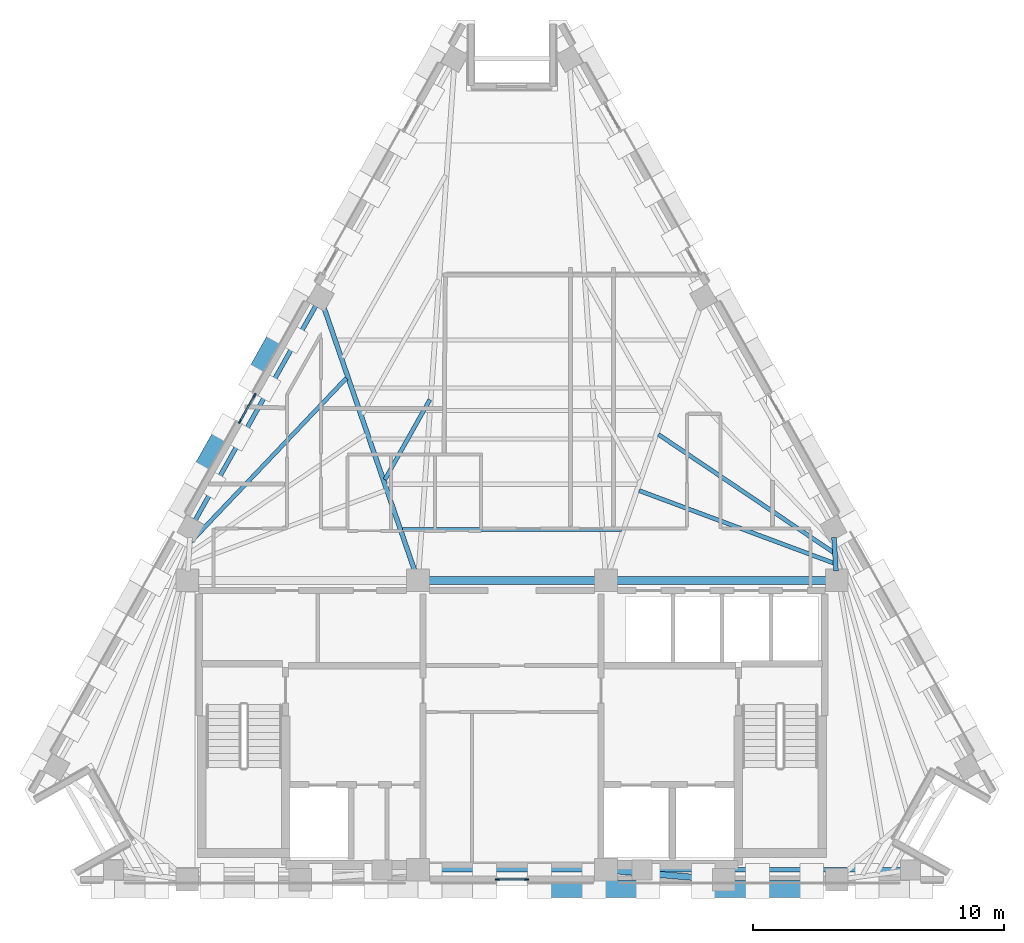
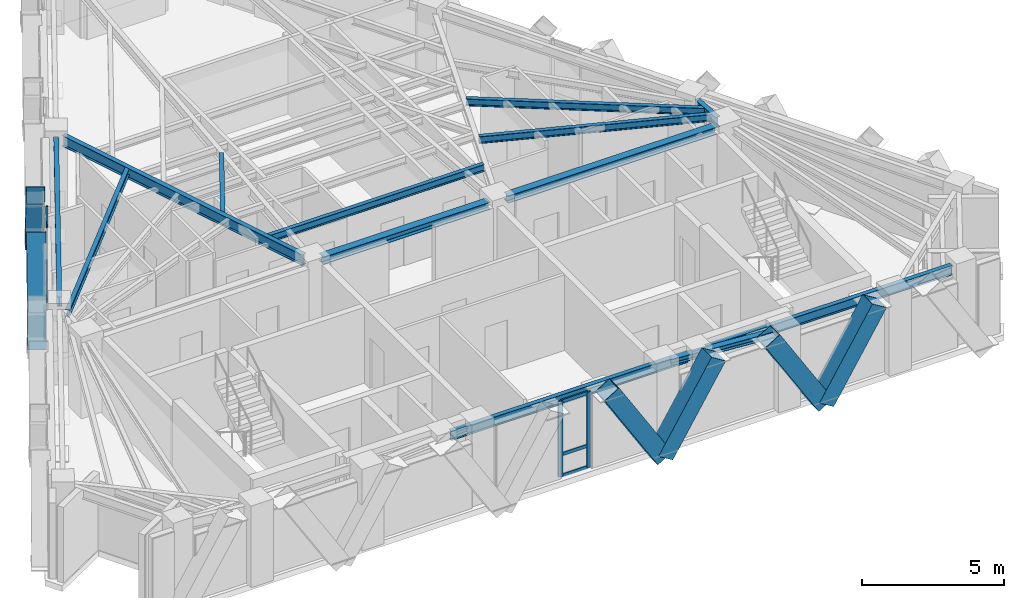
# One storey, part 2 of 9: 16 members, 13 beams, 2 elements without a shape of their own.
"""IFC4 building model written with IfcOpenShell, lengths in metres."""

from ifc_helpers import new_model, si_unit, direction, frame, origin, origin_2d, place, context, subcontext, project, spatial, rectangle, hollow_rectangle, i_section, extrude, material, material_profile, profile_set, type_object, element, aggregate, save


model = new_model("IFC4")

# Units and contexts
model_context = context("Model", 3, precision=1e-05, world=origin(), true_north=direction((0.0, 1.0)))
body_context = subcontext(model_context, "Body", "Model", "MODEL_VIEW")
ifc_project = project(units=[si_unit("LENGTHUNIT", "METRE"), si_unit("AREAUNIT", "SQUARE_METRE"), si_unit("VOLUMEUNIT", "CUBIC_METRE"), si_unit("PLANEANGLEUNIT", "RADIAN"), si_unit("MASSUNIT", "GRAM", prefix="KILO")], contexts=[model_context])

# Site, building, storey
site_placement = place(None, origin())
site = spatial("IfcSite", under=ifc_project, at=site_placement, CompositionType="ELEMENT")
building_placement = place(site_placement, origin())
building = spatial("IfcBuilding", under=site, at=building_placement, Name="Quenlor Broadcast Tower", CompositionType="ELEMENT")
storey_placement = place(building_placement, frame((0.0, 0.0, 249.89990234375)))
storey = spatial("IfcBuildingStorey", under=building, at=storey_placement, Name="L69", CompositionType="ELEMENT", Elevation=249.89990234375)

# Curtain wall, members
ifc_material_1 = material(Name="Architectural Terracotta and Low-E Glazing", Category="masonry")
curtain_wall_type = type_object("IfcCurtainWallType", Name="Unitised Terracotta Curtain Wall System Z5", PredefinedType="NOTDEFINED", material=ifc_material_1)
curtain_wall_1_placement = place(storey_placement, origin())
curtain_wall_1 = element("IfcCurtainWall", 1, at=curtain_wall_1_placement, inside=storey, type_object=curtain_wall_type, Name="L69 Curtain Wall CW5 (L69-S-G1)", PredefinedType="NOTDEFINED")
ifc_material_2 = material(Name="Aluminium 6063-T6", Category="aluminium")
ifc_material_profile_1 = material_profile(ifc_material_2, rectangle(XDim=0.06494140625, YDim=0.169921875, at=origin_2d()))
ifc_profile_set_1 = profile_set([ifc_material_profile_1], Name="Aluminium 6063-T6 MULL65x170")
member_type_1 = type_object("IfcMemberType", Name="CW5 Aluminium Mullion MULL_CW5", PredefinedType="MULLION", material=ifc_profile_set_1)
member_1_placement = place(storey_placement, frame((0.573974609375, -16.72509765625, 0.0), z_axis=(0.0, 0.0, 1.0), x_axis=(0.0, -1.0, 0.0)))
member_1 = element("IfcMember", 2, at=member_1_placement, type_object=member_type_1, Name="CW5 mullion 1", PredefinedType="MULLION", context=body_context, shape_type="SweptSolid", body=[
    extrude(rectangle(XDim=0.06494140625, YDim=0.169921875, at=origin_2d()), origin(), (0.0, 0.0, 1.0), 3.25),
])
member_2_placement = place(storey_placement, frame((-0.573974609375, -16.72509765625, 0.0), z_axis=(0.0, 0.0, 1.0), x_axis=(0.0, -1.0, 0.0)))
member_2 = element("IfcMember", 3, at=member_2_placement, type_object=member_type_1, Name="CW5 mullion 2", PredefinedType="MULLION", context=body_context, shape_type="SweptSolid", body=[
    extrude(rectangle(XDim=0.06494140625, YDim=0.169921875, at=origin_2d()), origin(), (0.0, 0.0, 1.0), 3.25),
])

curtain_wall_2_placement = place(storey_placement, origin())
curtain_wall_2 = element("IfcCurtainWall", 4, at=curtain_wall_2_placement, inside=storey, type_object=curtain_wall_type, Name="L69 Curtain Wall CW5 (L69-NW-G1)", PredefinedType="NOTDEFINED")
member_3_placement = place(storey_placement, frame((-10.853271484375, 1.54443359375, 0.0), z_axis=(0.0, 0.0, 1.0), x_axis=(-0.871592489955, 0.490231100048, 0.0)))
member_3 = element("IfcMember", 5, at=member_3_placement, type_object=member_type_1, Name="CW5 mullion 1", PredefinedType="MULLION", context=body_context, shape_type="SweptSolid", body=[
    extrude(rectangle(XDim=0.06494140625, YDim=0.169921875, at=origin_2d()), origin(), (0.0, 0.0, 1.0), 3.25),
])
member_4_placement = place(storey_placement, frame((-10.267333984375, 2.586181640625, 0.0), z_axis=(0.0, 0.0, 1.0), x_axis=(-0.871592489955, 0.490231100048, 0.0)))
member_4 = element("IfcMember", 6, at=member_4_placement, type_object=member_type_1, Name="CW5 mullion 2", PredefinedType="MULLION", context=body_context, shape_type="SweptSolid", body=[
    extrude(rectangle(XDim=0.06494140625, YDim=0.169921875, at=origin_2d()), origin(), (0.0, 0.0, 1.0), 3.25),
])

# Member
ifc_material_3 = material(Name="Aluminium 6063-T6", Category="aluminium")
ifc_material_profile_2 = material_profile(ifc_material_3, rectangle(XDim=0.06494140625, YDim=0.139892578125, at=origin_2d()))
ifc_profile_set_2 = profile_set([ifc_material_profile_2], Name="Aluminium 6063-T6 TRAN65x140")
member_type_2 = type_object("IfcMemberType", Name="CW5 Aluminium Transom TRAN_CW5", PredefinedType="USERDEFINED", material=ifc_profile_set_2)
member_5_placement = place(storey_placement, frame((0.54150390625, -16.72509765625, 0.03271484375), z_axis=(-1.0, 0.0, 0.0), x_axis=(0.0, -1.0, 0.0)))
member_5 = element("IfcMember", 7, at=member_5_placement, type_object=member_type_2, Name="CW5 transom 1.1", ObjectType="TRANSOM", PredefinedType="USERDEFINED", context=body_context, shape_type="SweptSolid", body=[
    extrude(rectangle(XDim=0.06494140625, YDim=0.139892578125, at=origin_2d()), origin(), (0.0, 0.0, 1.0), 1.0830078125),
])

member_6_placement = place(storey_placement, frame((0.54150390625, -16.72509765625, 0.9501953125), z_axis=(-1.0, 0.0, 0.0), x_axis=(0.0, -1.0, 0.0)))
member_6 = element("IfcMember", 8, at=member_6_placement, type_object=member_type_2, Name="CW5 transom 1.2", ObjectType="TRANSOM", PredefinedType="USERDEFINED", context=body_context, shape_type="SweptSolid", body=[
    extrude(rectangle(XDim=0.06494140625, YDim=0.139892578125, at=origin_2d()), origin(), (0.0, 0.0, 1.0), 1.0830078125),
])

member_7_placement = place(storey_placement, frame((0.54150390625, -16.72509765625, 3.217529296875), z_axis=(-1.0, 0.0, 0.0), x_axis=(0.0, -1.0, 0.0)))
member_7 = element("IfcMember", 9, at=member_7_placement, type_object=member_type_2, Name="CW5 transom 1.3", ObjectType="TRANSOM", PredefinedType="USERDEFINED", context=body_context, shape_type="SweptSolid", body=[
    extrude(rectangle(XDim=0.06494140625, YDim=0.139892578125, at=origin_2d()), origin(), (0.0, 0.0, 1.0), 1.0830078125),
])

aggregate(curtain_wall_1, [member_1, member_2, member_5, member_6, member_7])

member_8_placement = place(storey_placement, frame((-10.83740234375, 1.57275390625, 0.03271484375), z_axis=(0.490312513966, 0.871546693327, 0.0), x_axis=(-0.871546693327, 0.490312513966, 0.0)))
member_8 = element("IfcMember", 10, at=member_8_placement, type_object=member_type_2, Name="CW5 transom 1.1", ObjectType="TRANSOM", PredefinedType="USERDEFINED", context=body_context, shape_type="SweptSolid", body=[
    extrude(rectangle(XDim=0.06494140625, YDim=0.139892578125, at=origin_2d()), origin(), (0.0, 0.0, 1.0), 1.13037109375),
])

member_9_placement = place(storey_placement, frame((-10.83740234375, 1.57275390625, 0.9501953125), z_axis=(0.490312513966, 0.871546693327, 0.0), x_axis=(-0.871546693327, 0.490312513966, 0.0)))
member_9 = element("IfcMember", 11, at=member_9_placement, type_object=member_type_2, Name="CW5 transom 1.2", ObjectType="TRANSOM", PredefinedType="USERDEFINED", context=body_context, shape_type="SweptSolid", body=[
    extrude(rectangle(XDim=0.06494140625, YDim=0.139892578125, at=origin_2d()), origin(), (0.0, 0.0, 1.0), 1.13037109375),
])

member_10_placement = place(storey_placement, frame((-10.83740234375, 1.57275390625, 3.217529296875), z_axis=(0.490312513966, 0.871546693327, 0.0), x_axis=(-0.871546693327, 0.490312513966, 0.0)))
member_10 = element("IfcMember", 12, at=member_10_placement, type_object=member_type_2, Name="CW5 transom 1.3", ObjectType="TRANSOM", PredefinedType="USERDEFINED", context=body_context, shape_type="SweptSolid", body=[
    extrude(rectangle(XDim=0.06494140625, YDim=0.139892578125, at=origin_2d()), origin(), (0.0, 0.0, 1.0), 1.13037109375),
])

aggregate(curtain_wall_2, [member_3, member_4, member_8, member_9, member_10])

# Beams
ifc_material_4 = material(Name="Steel S355", Category="steel")
ifc_material_profile_3 = material_profile(ifc_material_4, i_section(OverallWidth=0.304931640625, OverallDepth=0.30810546875, WebThickness=0.010009765625, FlangeThickness=0.015380859375, FilletRadius=0.0166015625, at=origin_2d()))
ifc_profile_set_3 = profile_set([ifc_material_profile_3], Name="Steel S355 310UC96.8")
beam_type_1 = type_object("IfcBeamType", Name="Core Header Beam Steel S355 310UC96.8", PredefinedType="BEAM", material=ifc_profile_set_3)
beam_1_placement = place(storey_placement, frame((-3.389892578125, -4.800048828125, 3.09619140625), z_axis=(1.0, 0.0, 0.0), x_axis=(0.0, 1.0, 0.0)))
element("IfcBeam", 13, at=beam_1_placement, inside=storey, type_object=beam_type_1, Name="L69 Core Header Beam 2", PredefinedType="BEAM", context=body_context, shape_type="SweptSolid", body=[
    extrude(i_section(OverallWidth=0.304931640625, OverallDepth=0.30810546875, WebThickness=0.010009765625, FlangeThickness=0.015380859375, FilletRadius=0.0166015625, at=origin_2d()), origin(), (0.0, 0.0, 1.0), 6.77978515625),
])
ifc_material_5 = material(Name="Steel S355", Category="steel")
ifc_material_profile_4 = material_profile(ifc_material_5, i_section(OverallWidth=0.25390625, OverallDepth=0.25390625, WebThickness=0.008544921875, FlangeThickness=0.01416015625, FilletRadius=0.013916015625, at=origin_2d()))
ifc_profile_set_4 = profile_set([ifc_material_profile_4], Name="Steel S355 250UC72.9")
beam_type_2 = type_object("IfcBeamType", Name="Core Opening Lintel Beam Steel S355 250UC72.9", PredefinedType="LINTEL", material=ifc_profile_set_4)
beam_2_placement = place(storey_placement, frame((4.108642578125, -16.380615234375, 3.123291015625), z_axis=(0.996399763903, -0.084779186679, 0.0), x_axis=(0.084779186679, 0.996399763903, 0.0)))
element("IfcBeam", 14, at=beam_2_placement, inside=storey, type_object=beam_type_2, Name="L69 Core Opening Lintel Beam 5", PredefinedType="LINTEL", context=body_context, shape_type="SweptSolid", body=[
    extrude(i_section(OverallWidth=0.25390625, OverallDepth=0.25390625, WebThickness=0.008544921875, FlangeThickness=0.01416015625, FilletRadius=0.013916015625, at=origin_2d()), origin(), (0.0, 0.0, 1.0), 3.9970703125),
])
ifc_material_6 = material(Name="Steel S355", Category="steel")
ifc_material_profile_5 = material_profile(ifc_material_6, i_section(OverallWidth=0.306884765625, OverallDepth=0.314697265625, WebThickness=0.011962890625, FlangeThickness=0.018798828125, FilletRadius=0.0166015625, at=origin_2d()))
ifc_profile_set_5 = profile_set([ifc_material_profile_5], Name="Steel S355 310UC118")
beam_type_3 = type_object("IfcBeamType", Name="Core Tie Beam Steel S355 310UC118", PredefinedType="BEAM", material=ifc_profile_set_5)
beam_3_placement = place(storey_placement, frame((4.110107421875, -4.800048828125, 3.0927734375), z_axis=(1.0, 0.0, 0.0), x_axis=(0.0, 1.0, 0.0)))
element("IfcBeam", 15, at=beam_3_placement, inside=storey, type_object=beam_type_3, Name="L69 Core Tie Beam 3", PredefinedType="BEAM", context=body_context, shape_type="SweptSolid", body=[
    extrude(i_section(OverallWidth=0.306884765625, OverallDepth=0.314697265625, WebThickness=0.011962890625, FlangeThickness=0.018798828125, FilletRadius=0.0166015625, at=origin_2d()), origin(), (0.0, 0.0, 1.0), 8.47998046875),
])

# Members
ifc_material_7 = material(Name="Steel S355", Category="steel")
ifc_material_profile_6 = material_profile(ifc_material_7, hollow_rectangle(XDim=0.679931640625, YDim=0.679931640625, WallThickness=0.02001953125, at=origin_2d()))
ifc_profile_set_6 = profile_set([ifc_material_profile_6], Name="Steel S355 RHS680x680x20")
member_type_3 = type_object("IfcMemberType", Name="Perimeter Diagonal Lattice Brace Z5-Crown Steel S355 RHS680x20", PredefinedType="BRACE", material=ifc_profile_set_6)
member_11_placement = place(storey_placement, frame((9.81103515625, -17.1201171875, -0.119873046875), z_axis=(0.5236596973, 0.0, 0.851927532965), x_axis=(0.0, 1.0, 0.0)))
element("IfcMember", 16, at=member_11_placement, inside=storey, type_object=member_type_3, Name="L69 Perimeter Diamond Lattice S-C1B", PredefinedType="BRACE", context=body_context, shape_type="SweptSolid", body=[
    extrude(hollow_rectangle(XDim=0.679931640625, YDim=0.679931640625, WallThickness=0.02001953125, at=origin_2d()), origin(), (0.0, 0.0, 1.0), 4.1083984375),
])
member_12_placement = place(storey_placement, frame((9.784912109375, -17.1201171875, -0.119873046875), z_axis=(-0.523616565236, 0.0, 0.85195404372), x_axis=(0.0, -1.0, 0.0)))
element("IfcMember", 17, at=member_12_placement, inside=storey, type_object=member_type_3, Name="L69 Perimeter Diamond Lattice S-C2S", PredefinedType="BRACE", context=body_context, shape_type="SweptSolid", body=[
    extrude(hollow_rectangle(XDim=0.679931640625, YDim=0.679931640625, WallThickness=0.02001953125, at=origin_2d()), origin(), (0.0, 0.0, 1.0), 4.108154296875),
])
member_13_placement = place(storey_placement, frame((3.279052734375, -17.1201171875, -0.119873046875), z_axis=(0.5236596973, 0.0, 0.851927532965), x_axis=(0.0, 1.0, 0.0)))
element("IfcMember", 18, at=member_13_placement, inside=storey, type_object=member_type_3, Name="L69 Perimeter Diamond Lattice S-C2B", PredefinedType="BRACE", context=body_context, shape_type="SweptSolid", body=[
    extrude(hollow_rectangle(XDim=0.679931640625, YDim=0.679931640625, WallThickness=0.02001953125, at=origin_2d()), origin(), (0.0, 0.0, 1.0), 4.1083984375),
])
member_14_placement = place(storey_placement, frame((3.2529296875, -17.1201171875, -0.119873046875), z_axis=(-0.523616565236, 0.0, 0.85195404372), x_axis=(0.0, -1.0, 0.0)))
element("IfcMember", 19, at=member_14_placement, inside=storey, type_object=member_type_3, Name="L69 Perimeter Diamond Lattice S-C3S", PredefinedType="BRACE", context=body_context, shape_type="SweptSolid", body=[
    extrude(hollow_rectangle(XDim=0.679931640625, YDim=0.679931640625, WallThickness=0.02001953125, at=origin_2d()), origin(), (0.0, 0.0, 1.0), 4.108154296875),
])
for number, where, z_axis, x_axis, name in (
    (20, (-12.532958984375, -0.635986328125, -0.119873046875), (0.260618804175, 0.463276364439, 0.847025884529), (-0.8715547569, 0.490298180422, 0.0), "L69 Perimeter Diamond Lattice NW-C3S"),
    (21, (-9.2763671875, 5.153564453125, -0.119873046875), (-0.260563732169, -0.463283497491, 0.847038926161), (0.871602253711, -0.49021374045, 0.0), "L69 Perimeter Diamond Lattice NW-C3B"),
):
    element("IfcMember", number, at=place(storey_placement, frame(where, z_axis=z_axis, x_axis=x_axis)), inside=storey, type_object=member_type_3, Name=name, PredefinedType="BRACE", context=body_context, shape_type="SweptSolid", body=[
        extrude(hollow_rectangle(XDim=0.679931640625, YDim=0.679931640625, WallThickness=0.02001953125, at=origin_2d()), origin(), (0.0, 0.0, 1.0), 4.132080078125),
    ])

# Beams
ifc_material_8 = material(Name="Steel S355", Category="steel")
ifc_material_profile_7 = material_profile(ifc_material_8, i_section(OverallWidth=0.177978515625, OverallDepth=0.406494140625, WebThickness=0.0078125, FlangeThickness=0.0126953125, FilletRadius=0.011474609375, at=origin_2d()))
ifc_profile_set_7 = profile_set([ifc_material_profile_7], Name="Steel S355 410UB59.7")
beam_type_4 = type_object("IfcBeamType", Name="Perimeter Spandrel Beam Z5 Steel S355 410UB59.7", PredefinedType="SPANDREL", material=ifc_profile_set_7)
beam_4_placement = place(storey_placement, frame((-4.823974609375, -16.35009765625, 3.046875), z_axis=(1.0, 0.0, 0.0), x_axis=(0.0, 1.0, 0.0)))
element("IfcBeam", 22, at=beam_4_placement, inside=storey, type_object=beam_type_4, Name="L69 Spandrel Beam S2-S3", PredefinedType="SPANDREL", context=body_context, shape_type="SweptSolid", body=[
    extrude(i_section(OverallWidth=0.177978515625, OverallDepth=0.406494140625, WebThickness=0.0078125, FlangeThickness=0.0126953125, FilletRadius=0.011474609375, at=origin_2d()), origin(), (0.0, 0.0, 1.0), 9.64794921875),
])
beam_5_placement = place(storey_placement, frame((5.5439453125, -16.35009765625, 3.046875), z_axis=(1.0, 0.0, 0.0), x_axis=(0.0, 1.0, 0.0)))
element("IfcBeam", 23, at=beam_5_placement, inside=storey, type_object=beam_type_4, Name="L69 Spandrel Beam S3-S4", PredefinedType="SPANDREL", context=body_context, shape_type="SweptSolid", body=[
    extrude(i_section(OverallWidth=0.177978515625, OverallDepth=0.406494140625, WebThickness=0.0078125, FlangeThickness=0.0126953125, FilletRadius=0.011474609375, at=origin_2d()), origin(), (0.0, 0.0, 1.0), 9.99365234375),
])
beam_6_placement = place(storey_placement, frame((-7.818115234375, 6.175537109375, 3.046875), z_axis=(-0.49024947634, -0.871582153872, 0.0), x_axis=(0.871582153872, -0.49024947634, 0.0)))
element("IfcBeam", 24, at=beam_6_placement, inside=storey, type_object=beam_type_4, Name="L69 Spandrel Beam NW2-NW3", PredefinedType="SPANDREL", context=body_context, shape_type="SweptSolid", body=[
    extrude(i_section(OverallWidth=0.177978515625, OverallDepth=0.406494140625, WebThickness=0.0078125, FlangeThickness=0.0126953125, FilletRadius=0.011474609375, at=origin_2d()), origin(), (0.0, 0.0, 1.0), 9.853759765625),
])
ifc_material_9 = material(Name="Steel S355", Category="steel")
ifc_material_profile_8 = material_profile(ifc_material_9, i_section(OverallWidth=0.166015625, OverallDepth=0.30712890625, WebThickness=0.006591796875, FlangeThickness=0.01171875, FilletRadius=0.011474609375, at=origin_2d()))
ifc_profile_set_8 = profile_set([ifc_material_profile_8], Name="Steel S355 310UB46.2")
beam_type_5 = type_object("IfcBeamType", Name="Tower Composite Joist Z4-Z5 Steel S355 310UB46.2", PredefinedType="JOIST", material=ifc_profile_set_8)
beam_7_placement = place(storey_placement, frame((-4.37060546875, -2.767822265625, 3.096435546875), z_axis=(1.0, 0.0, 0.0), x_axis=(0.0, 1.0, 0.0)))
element("IfcBeam", 25, at=beam_7_placement, inside=storey, type_object=beam_type_5, Name="L69 Secondary Composite Joist 1", PredefinedType="JOIST", context=body_context, shape_type="SweptSolid", body=[
    extrude(i_section(OverallWidth=0.166015625, OverallDepth=0.30712890625, WebThickness=0.006591796875, FlangeThickness=0.01171875, FilletRadius=0.011474609375, at=origin_2d()), origin(), (0.0, 0.0, 1.0), 8.7412109375),
])
beam_8_placement = place(storey_placement, frame((-12.80517578125, -3.249267578125, 3.096435546875), z_axis=(0.689023306429, 0.724739182877, 0.0), x_axis=(-0.724739182877, 0.689023306429, 0.0)))
element("IfcBeam", 26, at=beam_8_placement, inside=storey, type_object=beam_type_5, Name="L69 Secondary Composite Joist 9", PredefinedType="JOIST", context=body_context, shape_type="SweptSolid", body=[
    extrude(i_section(OverallWidth=0.166015625, OverallDepth=0.30712890625, WebThickness=0.006591796875, FlangeThickness=0.01171875, FilletRadius=0.011474609375, at=origin_2d()), origin(), (0.0, 0.0, 1.0), 8.99560546875),
])
beam_9_placement = place(storey_placement, frame((12.835205078125, -4.108642578125, 3.096435546875), z_axis=(-0.937062080226, 0.349162795559, 0.0), x_axis=(-0.349162795559, -0.937062080226, 0.0)))
element("IfcBeam", 27, at=beam_9_placement, inside=storey, type_object=beam_type_5, Name="L69 Secondary Composite Joist 10", PredefinedType="JOIST", context=body_context, shape_type="SweptSolid", body=[
    extrude(i_section(OverallWidth=0.166015625, OverallDepth=0.30712890625, WebThickness=0.006591796875, FlangeThickness=0.01171875, FilletRadius=0.011474609375, at=origin_2d()), origin(), (0.0, 0.0, 1.0), 8.286376953125),
])
beam_10_placement = place(storey_placement, frame((12.81884765625, -3.67724609375, 3.096435546875), z_axis=(-0.829286301475, 0.558823970661, 0.0), x_axis=(-0.558823970661, -0.829286301475, 0.0)))
element("IfcBeam", 28, at=beam_10_placement, inside=storey, type_object=beam_type_5, Name="L69 Secondary Composite Joist 11", PredefinedType="JOIST", context=body_context, shape_type="SweptSolid", body=[
    extrude(i_section(OverallWidth=0.166015625, OverallDepth=0.30712890625, WebThickness=0.006591796875, FlangeThickness=0.01171875, FilletRadius=0.011474609375, at=origin_2d()), origin(), (0.0, 0.0, 1.0), 8.415771484375),
])
beam_11_placement = place(storey_placement, frame((-3.2763671875, 2.41455078125, 3.096435546875), z_axis=(-0.490258076222, -0.871577316535, 0.0), x_axis=(0.871577316535, -0.490258076222, 0.0)))
element("IfcBeam", 29, at=beam_11_placement, inside=storey, type_object=beam_type_5, Name="L69 Secondary Composite Joist 25", PredefinedType="JOIST", context=body_context, shape_type="SweptSolid", body=[
    extrude(i_section(OverallWidth=0.166015625, OverallDepth=0.30712890625, WebThickness=0.006591796875, FlangeThickness=0.01171875, FilletRadius=0.011474609375, at=origin_2d()), origin(), (0.0, 0.0, 1.0), 3.6640625),
])
ifc_material_10 = material(Name="Steel S355", Category="steel")
ifc_material_profile_9 = material_profile(ifc_material_10, i_section(OverallWidth=0.19091796875, OverallDepth=0.46044921875, WebThickness=0.010009765625, FlangeThickness=0.01611328125, FilletRadius=0.011474609375, at=origin_2d()))
ifc_profile_set_9 = profile_set([ifc_material_profile_9], Name="Steel S355 460UB82.1")
beam_type_6 = type_object("IfcBeamType", Name="Tower Primary Floor Beam Z5 Steel S355 460UB82.1", PredefinedType="BEAM", material=ifc_profile_set_9)
beam_12_placement = place(storey_placement, frame((12.84716796875, -3.086181640625, 3.02001953125), z_axis=(0.059899569349, -0.998204408722, 0.0), x_axis=(0.998204408722, 0.059899569349, 0.0)))
element("IfcBeam", 30, at=beam_12_placement, inside=storey, type_object=beam_type_6, Name="L69 Primary Radial Beam NE2", PredefinedType="BEAM", context=body_context, shape_type="SweptSolid", body=[
    extrude(i_section(OverallWidth=0.19091796875, OverallDepth=0.46044921875, WebThickness=0.010009765625, FlangeThickness=0.01611328125, FilletRadius=0.011474609375, at=origin_2d()), origin(), (0.0, 0.0, 1.0), 1.3369140625),
])
beam_13_placement = place(storey_placement, frame((-7.524169921875, 6.14892578125, 3.02001953125), z_axis=(0.325895297662, -0.945405867848, 0.0), x_axis=(0.945405867848, 0.325895297662, 0.0)))
element("IfcBeam", 31, at=beam_13_placement, inside=storey, type_object=beam_type_6, Name="L69 Primary Radial Beam NW2", PredefinedType="BEAM", context=body_context, shape_type="SweptSolid", body=[
    extrude(i_section(OverallWidth=0.19091796875, OverallDepth=0.46044921875, WebThickness=0.010009765625, FlangeThickness=0.01611328125, FilletRadius=0.011474609375, at=origin_2d()), origin(), (0.0, 0.0, 1.0), 11.201171875),
])

save(model, "model.ifc")
